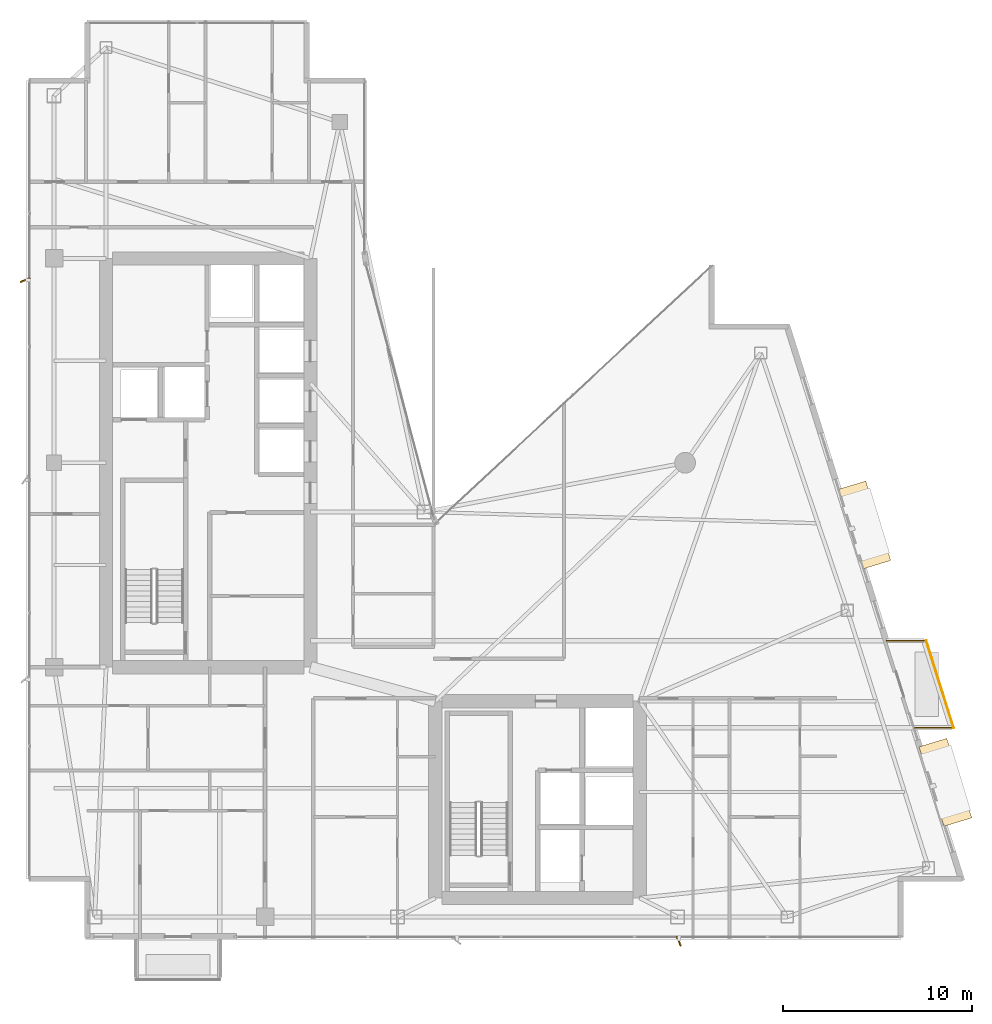
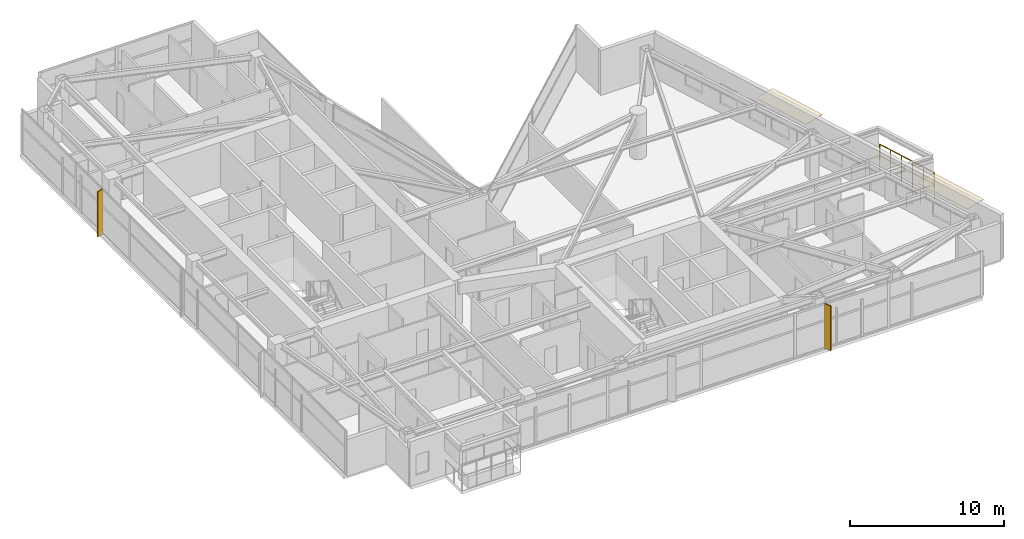
# One storey, part 27 of 27: 2 coverings, 2 railings, 2 shading devices.
"""IFC4 building model written with IfcOpenShell, lengths in metres."""

from ifc_helpers import new_model, si_unit, direction, frame, origin, origin_2d, place, context, subcontext, project, spatial, polyline, rectangle, circle, outline, extrude, material, layer, layer_set, type_object, element, save


model = new_model("IFC4")

# Units and contexts
model_context = context("Model", 3, precision=1e-05, world=origin(), true_north=direction((0.0, 1.0)))
body_context = subcontext(model_context, "Body", "Model", "MODEL_VIEW")
ifc_project = project(units=[si_unit("LENGTHUNIT", "METRE"), si_unit("AREAUNIT", "SQUARE_METRE"), si_unit("VOLUMEUNIT", "CUBIC_METRE"), si_unit("PLANEANGLEUNIT", "RADIAN"), si_unit("MASSUNIT", "GRAM", prefix="KILO")], contexts=[model_context])

# Site, building, storey
site_placement = place(None, origin())
site = spatial("IfcSite", under=ifc_project, at=site_placement, CompositionType="ELEMENT")
building_placement = place(site_placement, origin())
building = spatial("IfcBuilding", under=site, at=building_placement, Name="Calvorn Quay Hotel", CompositionType="ELEMENT")
storey_placement = place(building_placement, frame((0.0, 0.0, 223.10009765625)))
storey = spatial("IfcBuildingStorey", under=building, at=storey_placement, Name="L55", CompositionType="ELEMENT", Elevation=223.10009765625)

# Coverings
ifc_material_1 = material(Name="Pale Anodised Aluminium Rainscreen Cladding", Category="aluminium")
ifc_layer = layer(ifc_material_1, 0.044921875)
ifc_layer_set = layer_set([ifc_layer], Name="COV-CROWN-CLAD")
covering_type = type_object("IfcCoveringType", Name="COV-CROWN-CLAD", PredefinedType="CLADDING", material=ifc_layer_set)
covering_1_placement = place(storey_placement, frame((0.0, 0.0, 2.5048828125)))
element("IfcCovering", 1, at=covering_1_placement, inside=storey, type_object=covering_type, Name="Angled Bay Hood Canopy L55-HOOD-1", PredefinedType="CLADDING", context=body_context, shape_type="SweptSolid", body=[
    extrude(outline(polyline([(47.156982421875, 12.587890625), (48.6298828125, 13.034912109375), (49.952880859375, 8.8349609375), (48.47998046875, 8.387939453125), (47.156982421875, 12.587890625)])), origin(), (0.0, 0.0, 1.0), 0.044921875),
])
covering_2_placement = place(storey_placement, frame((0.0, 0.0, 2.5048828125)))
element("IfcCovering", 2, at=covering_2_placement, inside=storey, type_object=covering_type, Name="Angled Bay Hood Canopy L55-HOOD-3", PredefinedType="CLADDING", context=body_context, shape_type="SweptSolid", body=[
    extrude(outline(polyline([(42.8720703125, 26.18798828125), (44.344970703125, 26.635009765625), (45.66796875, 22.43505859375), (44.195068359375, 21.988037109375), (42.8720703125, 26.18798828125)])), origin(), (0.0, 0.0, 1.0), 0.044921875),
])

# Railings
ifc_material_2 = material(Name="Pale Anodised Aluminium and Laminated Glass", Category="aluminium")
railing_type = type_object("IfcRailingType", Name="RLG-BALUSTRADE-1200", PredefinedType="BALUSTRADE", material=ifc_material_2)
railing_1_placement = place(storey_placement, frame((46.888916015625, 13.60009765625, 0.0)))
element("IfcRailing", 3, at=railing_1_placement, inside=storey, type_object=railing_type, Name="Tree Balcony Perimeter Balustrade L55-BALC-E", PredefinedType="BALUSTRADE", context=body_context, shape_type="SweptSolid", body=[
    extrude(circle(Radius=0.02392578125, at=origin_2d()), frame((0.0, 0.0, 1.17578125), z_axis=(1.0, 0.0, 0.0), x_axis=(0.0, 1.0, 0.0)), (0.0, 0.0, 1.0), 2.10009765625),
    extrude(circle(Radius=0.02392578125, at=origin_2d()), frame((2.10009765625, 0.0, 1.17578125), z_axis=(-0.300450487966, 0.953797412599, 0.0), x_axis=(-0.953797412599, -0.300450487966, 0.0)), (0.0, 0.0, 1.0), 4.82275390625),
    extrude(circle(Radius=0.02392578125, at=origin_2d()), frame((0.651123046875, 4.599853515625, 1.17578125), z_axis=(-1.0, 0.0, 0.0), x_axis=(0.0, -1.0, 0.0)), (0.0, 0.0, 1.0), 2.10009765625),
    extrude(circle(Radius=0.02099609375, at=origin_2d()), origin(), (0.0, 0.0, 1.0), 1.15185546875),
    extrude(circle(Radius=0.02099609375, at=origin_2d()), frame((1.050048828125, 0.0, 0.0)), (0.0, 0.0, 1.0), 1.15185546875),
    extrude(circle(Radius=0.02099609375, at=origin_2d()), frame((2.10009765625, 0.0, 0.0)), (0.0, 0.0, 1.0), 1.15185546875),
    extrude(circle(Radius=0.02099609375, at=origin_2d()), frame((1.810302734375, 0.919921875, 0.0)), (0.0, 0.0, 1.0), 1.15185546875),
    extrude(circle(Radius=0.02099609375, at=origin_2d()), frame((1.5205078125, 1.83984375, 0.0)), (0.0, 0.0, 1.0), 1.15185546875),
    extrude(circle(Radius=0.02099609375, at=origin_2d()), frame((1.230712890625, 2.760009765625, 0.0)), (0.0, 0.0, 1.0), 1.15185546875),
    extrude(circle(Radius=0.02099609375, at=origin_2d()), frame((0.94091796875, 3.679931640625, 0.0)), (0.0, 0.0, 1.0), 1.15185546875),
    extrude(circle(Radius=0.02099609375, at=origin_2d()), frame((0.651123046875, 4.599853515625, 0.0)), (0.0, 0.0, 1.0), 1.15185546875),
    extrude(circle(Radius=0.02099609375, at=origin_2d()), frame((-0.39892578125, 4.599853515625, 0.0)), (0.0, 0.0, 1.0), 1.15185546875),
    extrude(circle(Radius=0.02099609375, at=origin_2d()), frame((-1.448974609375, 4.599853515625, 0.0)), (0.0, 0.0, 1.0), 1.15185546875),
])
railing_2_placement = place(storey_placement, frame((48.989013671875, 13.60009765625, 0.89990234375)))
element("IfcRailing", 4, at=railing_2_placement, inside=storey, type_object=railing_type, Name="Planter Kerb High Safety Screen L55-BALC-E", PredefinedType="BALUSTRADE", context=body_context, shape_type="SweptSolid", body=[
    extrude(circle(Radius=0.02392578125, at=origin_2d()), frame((0.0, 0.0, 1.19580078125), z_axis=(-0.300450487966, 0.953797412599, 0.0), x_axis=(-0.953797412599, -0.300450487966, 0.0)), (0.0, 0.0, 1.0), 4.82275390625),
    extrude(circle(Radius=0.02099609375, at=origin_2d()), origin(), (0.0, 0.0, 1.0), 1.171875),
    extrude(circle(Radius=0.02099609375, at=origin_2d()), frame((-0.289794921875, 0.919921875, 0.0)), (0.0, 0.0, 1.0), 1.171875),
    extrude(circle(Radius=0.02099609375, at=origin_2d()), frame((-0.57958984375, 1.83984375, 0.0)), (0.0, 0.0, 1.0), 1.171875),
    extrude(circle(Radius=0.02099609375, at=origin_2d()), frame((-0.869384765625, 2.760009765625, 0.0)), (0.0, 0.0, 1.0), 1.171875),
    extrude(circle(Radius=0.02099609375, at=origin_2d()), frame((-1.1591796875, 3.679931640625, 0.0)), (0.0, 0.0, 1.0), 1.171875),
    extrude(circle(Radius=0.02099609375, at=origin_2d()), frame((-1.448974609375, 4.599853515625, 0.0)), (0.0, 0.0, 1.0), 1.171875),
])

# Shading devices
ifc_material_3 = material(Name="Champagne Bronze Anodised Aluminium 6063-T6", Category="aluminium")
shading_device_type = type_object("IfcShadingDeviceType", Name="SHD-FIN-A1", PredefinedType="USERDEFINED", material=ifc_material_3)
for number, where, z_axis, x_axis, name in (
    (5, (-0.080078125, 37.25, -0.000244140625), (0.0, 0.0, 1.0), (0.927183854567, 0.374606593416, 0.0), "Diagonal Sun-Shading Fin L55-W03"),
    (6, (34.467041015625, 2.320068359375, -0.000244140625), (0.0, 0.0, 1.0), (-0.374606593416, 0.927183854567, 0.0), "Diagonal Sun-Shading Fin L55-S02"),
):
    element("IfcShadingDevice", number, at=place(storey_placement, frame(where, z_axis=z_axis, x_axis=x_axis)), inside=storey, type_object=shading_device_type, Name=name, ObjectType="FIN", PredefinedType="USERDEFINED", context=body_context, shape_type="SweptSolid", body=[
        extrude(rectangle(XDim=0.550048828125, YDim=0.080078125, at=origin_2d()), origin(), (0.0, 0.0, 1.0), 3.56005859375),
    ])

save(model, "model.ifc")
